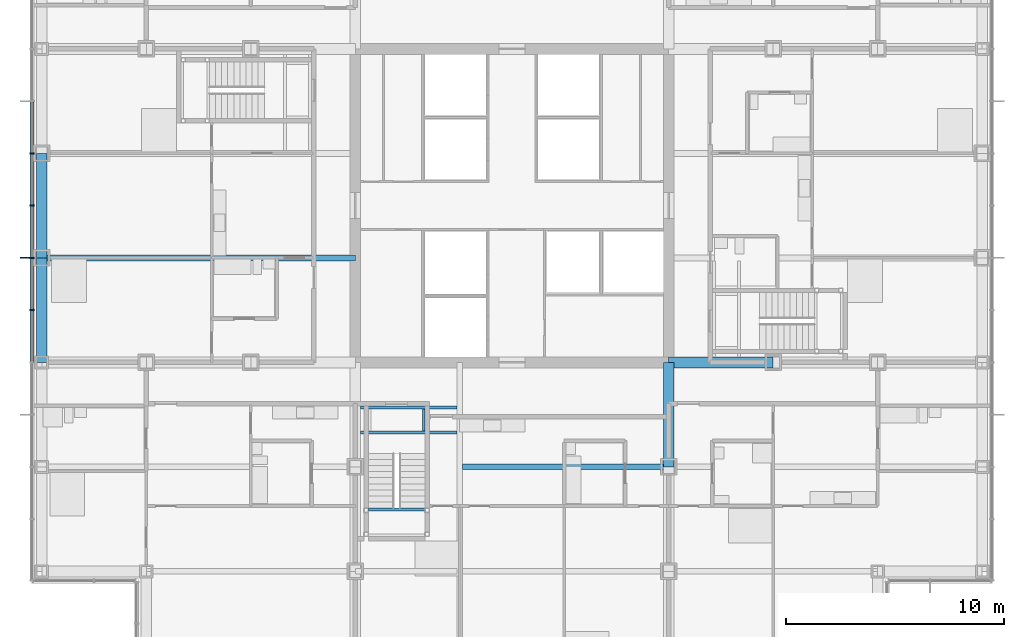
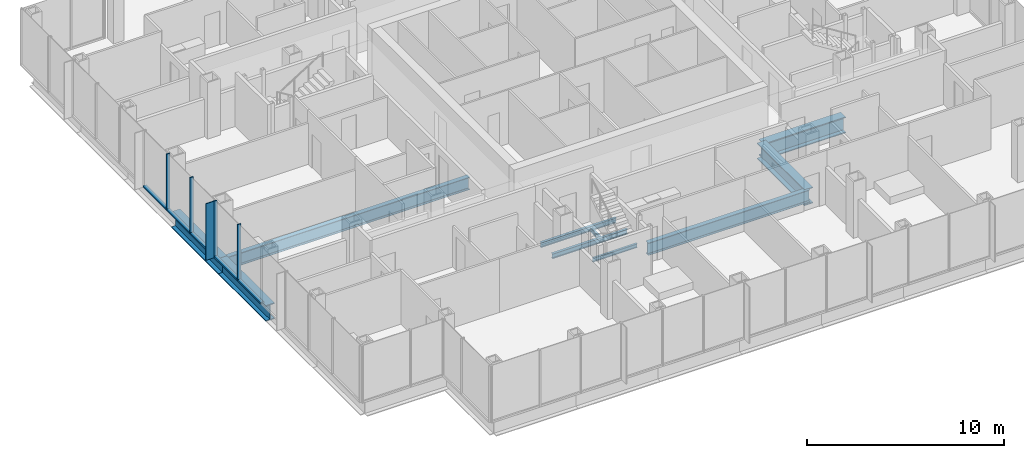
# One storey, part 7 of 21: 10 beams, 10 members, 1 element without a shape of its own.
"""IFC4 building model written with IfcOpenShell, lengths in metres."""

from ifc_helpers import new_model, si_unit, direction, frame, origin, origin_2d, place, context, subcontext, project, spatial, rectangle, i_section, extrude, material, material_profile, profile_set, type_object, element, aggregate, save


model = new_model("IFC4")

# Units and contexts
model_context = context("Model", 3, precision=1e-05, world=origin(), true_north=direction((0.0, 1.0)))
body_context = subcontext(model_context, "Body", "Model", "MODEL_VIEW")
ifc_project = project(units=[si_unit("LENGTHUNIT", "METRE"), si_unit("AREAUNIT", "SQUARE_METRE"), si_unit("VOLUMEUNIT", "CUBIC_METRE"), si_unit("PLANEANGLEUNIT", "RADIAN"), si_unit("MASSUNIT", "GRAM", prefix="KILO")], contexts=[model_context])

# Site, building, storey
site_placement = place(None, origin())
site = spatial("IfcSite", under=ifc_project, at=site_placement, CompositionType="ELEMENT")
building_placement = place(site_placement, origin())
building = spatial("IfcBuilding", under=site, at=building_placement, Name="Kvirike Care Tower", CompositionType="ELEMENT")
storey_placement = place(building_placement, frame((0.0, 0.0, 62.0)))
storey = spatial("IfcBuildingStorey", under=building, at=storey_placement, Name="L16", CompositionType="ELEMENT", Elevation=62.0)

# Curtain wall, members
ifc_material_1 = material(Name="Anodised aluminium stick system", Category="aluminium")
curtain_wall_type = type_object("IfcCurtainWallType", Name="CW-A STICK CURTAIN WALL", PredefinedType="NOTDEFINED", material=ifc_material_1)
curtain_wall_placement = place(storey_placement, origin())
curtain_wall = element("IfcCurtainWall", 1, at=curtain_wall_placement, inside=storey, type_object=curtain_wall_type, Name="Curtain wall L16 face 1", PredefinedType="NOTDEFINED")
ifc_material_2 = material(Name="Bronze anodised aluminium fin", Category="aluminium")
ifc_material_profile_1 = material_profile(ifc_material_2, rectangle(XDim=0.050048828125, YDim=0.449951171875, at=origin_2d()), Name="BRONZE FIN 450")
ifc_profile_set_1 = profile_set([ifc_material_profile_1], Name="Bronze anodised aluminium fin")
member_type_1 = type_object("IfcMemberType", Name="BRONZE FIN 450", PredefinedType="USERDEFINED", material=ifc_profile_set_1)
member_1_placement = place(storey_placement, frame((-0.77490234375, 33.60009765625, 0.0), z_axis=(0.0, 0.0, 1.0), x_axis=(0.0, -1.0, 0.0)))
member_1 = element("IfcMember", 2, at=member_1_placement, type_object=member_type_1, Name="Bronze fin L16 face 1.9", ObjectType="FIN", PredefinedType="USERDEFINED", context=body_context, shape_type="SweptSolid", body=[
    extrude(rectangle(XDim=0.050048828125, YDim=0.449951171875, at=origin_2d()), origin(), (0.0, 0.0, 1.0), 3.5),
])
ifc_material_3 = material(Name="Bronze anodised aluminium mullion", Category="aluminium")
ifc_material_profile_2 = material_profile(ifc_material_3, rectangle(XDim=0.06494140625, YDim=0.199951171875, at=origin_2d()), Name="CW-A MULLION 65x200")
ifc_profile_set_2 = profile_set([ifc_material_profile_2], Name="Bronze anodised aluminium mullion")
member_type_2 = type_object("IfcMemberType", Name="CW-A MULLION 65x200", PredefinedType="MULLION", material=ifc_profile_set_2)
member_2_placement = place(storey_placement, frame((-0.449951171875, 38.39990234375, 0.0), z_axis=(0.0, 0.0, 1.0), x_axis=(0.0, -1.0, 0.0)))
member_2 = element("IfcMember", 3, at=member_2_placement, type_object=member_type_2, Name="CW-A mullion L16 face 1.7", PredefinedType="MULLION", context=body_context, shape_type="SweptSolid", body=[
    extrude(rectangle(XDim=0.06494140625, YDim=0.199951171875, at=origin_2d()), origin(), (0.0, 0.0, 1.0), 3.5),
])
member_3_placement = place(storey_placement, frame((-0.449951171875, 36.0, 0.0), z_axis=(0.0, 0.0, 1.0), x_axis=(0.0, -1.0, 0.0)))
member_3 = element("IfcMember", 4, at=member_3_placement, type_object=member_type_2, Name="CW-A mullion L16 face 1.8", PredefinedType="MULLION", context=body_context, shape_type="SweptSolid", body=[
    extrude(rectangle(XDim=0.06494140625, YDim=0.199951171875, at=origin_2d()), origin(), (0.0, 0.0, 1.0), 3.5),
])
member_4_placement = place(storey_placement, frame((-0.449951171875, 33.60009765625, 0.0), z_axis=(0.0, 0.0, 1.0), x_axis=(0.0, -1.0, 0.0)))
member_4 = element("IfcMember", 5, at=member_4_placement, type_object=member_type_2, Name="CW-A mullion L16 face 1.9", PredefinedType="MULLION", context=body_context, shape_type="SweptSolid", body=[
    extrude(rectangle(XDim=0.06494140625, YDim=0.199951171875, at=origin_2d()), origin(), (0.0, 0.0, 1.0), 3.5),
])
member_5_placement = place(storey_placement, frame((-0.449951171875, 31.199951171875, 0.0), z_axis=(0.0, 0.0, 1.0), x_axis=(0.0, -1.0, 0.0)))
member_5 = element("IfcMember", 6, at=member_5_placement, type_object=member_type_2, Name="CW-A mullion L16 face 1.10", PredefinedType="MULLION", context=body_context, shape_type="SweptSolid", body=[
    extrude(rectangle(XDim=0.06494140625, YDim=0.199951171875, at=origin_2d()), origin(), (0.0, 0.0, 1.0), 3.5),
])
ifc_material_4 = material(Name="Bronze anodised aluminium transom", Category="aluminium")
ifc_material_profile_3 = material_profile(ifc_material_4, rectangle(XDim=0.199951171875, YDim=0.10009765625, at=origin_2d()), Name="CW-A TRANSOM 200x100")
ifc_profile_set_3 = profile_set([ifc_material_profile_3], Name="Bronze anodised aluminium transom")
member_type_3 = type_object("IfcMemberType", Name="CW-A TRANSOM 200x100", PredefinedType="USERDEFINED", material=ifc_profile_set_3)
member_6_placement = place(storey_placement, frame((-0.449951171875, 40.767578125, 0.050048828125), z_axis=(0.0, -1.0, 0.0), x_axis=(1.0, 0.0, 0.0)))
member_6 = element("IfcMember", 7, at=member_6_placement, type_object=member_type_3, Name="CW-A sill transom L16 face 1.6", ObjectType="TRANSOM", PredefinedType="USERDEFINED", context=body_context, shape_type="SweptSolid", body=[
    extrude(rectangle(XDim=0.199951171875, YDim=0.10009765625, at=origin_2d()), origin(), (0.0, 0.0, 1.0), 2.3349609375),
])
member_7_placement = place(storey_placement, frame((-0.449951171875, 38.367431640625, 0.050048828125), z_axis=(0.0, -1.0, 0.0), x_axis=(1.0, 0.0, 0.0)))
member_7 = element("IfcMember", 8, at=member_7_placement, type_object=member_type_3, Name="CW-A sill transom L16 face 1.7", ObjectType="TRANSOM", PredefinedType="USERDEFINED", context=body_context, shape_type="SweptSolid", body=[
    extrude(rectangle(XDim=0.199951171875, YDim=0.10009765625, at=origin_2d()), origin(), (0.0, 0.0, 1.0), 2.3349609375),
])
member_8_placement = place(storey_placement, frame((-0.449951171875, 35.967529296875, 0.050048828125), z_axis=(0.0, -1.0, 0.0), x_axis=(1.0, 0.0, 0.0)))
member_8 = element("IfcMember", 9, at=member_8_placement, type_object=member_type_3, Name="CW-A sill transom L16 face 1.8", ObjectType="TRANSOM", PredefinedType="USERDEFINED", context=body_context, shape_type="SweptSolid", body=[
    extrude(rectangle(XDim=0.199951171875, YDim=0.10009765625, at=origin_2d()), origin(), (0.0, 0.0, 1.0), 2.3349609375),
])
member_9_placement = place(storey_placement, frame((-0.449951171875, 33.5673828125, 0.050048828125), z_axis=(0.0, -1.0, 0.0), x_axis=(1.0, 0.0, 0.0)))
member_9 = element("IfcMember", 10, at=member_9_placement, type_object=member_type_3, Name="CW-A sill transom L16 face 1.9", ObjectType="TRANSOM", PredefinedType="USERDEFINED", context=body_context, shape_type="SweptSolid", body=[
    extrude(rectangle(XDim=0.199951171875, YDim=0.10009765625, at=origin_2d()), origin(), (0.0, 0.0, 1.0), 2.3349609375),
])
member_10_placement = place(storey_placement, frame((-0.449951171875, 31.16748046875, 0.050048828125), z_axis=(0.0, -1.0, 0.0), x_axis=(1.0, 0.0, 0.0)))
member_10 = element("IfcMember", 11, at=member_10_placement, type_object=member_type_3, Name="CW-A sill transom L16 face 1.10", ObjectType="TRANSOM", PredefinedType="USERDEFINED", context=body_context, shape_type="SweptSolid", body=[
    extrude(rectangle(XDim=0.199951171875, YDim=0.10009765625, at=origin_2d()), origin(), (0.0, 0.0, 1.0), 2.3349609375),
])
aggregate(curtain_wall, [member_2, member_3, member_4, member_1, member_5, member_6, member_7, member_8, member_9, member_10])

# Beams
ifc_material_5 = material(Name="Steel S355", Category="steel")
ifc_material_profile_4 = material_profile(ifc_material_5, i_section(OverallWidth=0.26806640625, OverallDepth=0.77001953125, WebThickness=0.015625, FlangeThickness=0.025390625, FilletRadius=0.01708984375, at=origin_2d()), Name="IPE 750x196")
ifc_profile_set_4 = profile_set([ifc_material_profile_4], Name="Steel S355")
beam_type_1 = type_object("IfcBeamType", Name="FLOOR BEAM IPE 750x196", PredefinedType="BEAM", material=ifc_profile_set_4)
beam_1_placement = place(storey_placement, frame((19.333984375, 24.0, -0.554931640625), z_axis=(1.0, 0.0, 0.0), x_axis=(0.0, 1.0, 0.0)))
element("IfcBeam", 12, at=beam_1_placement, inside=storey, type_object=beam_type_1, Name="Floor Beam F7-F9 L16", PredefinedType="BEAM", context=body_context, shape_type="SweptSolid", body=[
    extrude(i_section(OverallWidth=0.26806640625, OverallDepth=0.77001953125, WebThickness=0.015625, FlangeThickness=0.025390625, FilletRadius=0.01708984375, at=origin_2d()), origin(), (0.0, 0.0, 1.0), 9.466064453125),
])
beam_2_placement = place(storey_placement, frame((0.0, 33.60009765625, -0.554931640625), z_axis=(1.0, 0.0, 0.0), x_axis=(0.0, 1.0, 0.0)))
element("IfcBeam", 13, at=beam_2_placement, inside=storey, type_object=beam_type_1, Name="Floor Beam H3-H6 L16", PredefinedType="BEAM", context=body_context, shape_type="SweptSolid", body=[
    extrude(i_section(OverallWidth=0.26806640625, OverallDepth=0.77001953125, WebThickness=0.015625, FlangeThickness=0.025390625, FilletRadius=0.01708984375, at=origin_2d()), origin(), (0.0, 0.0, 1.0), 14.39990234375),
])
ifc_material_6 = material(Name="Steel S355", Category="steel")
ifc_material_profile_5 = material_profile(ifc_material_6, i_section(OverallWidth=0.5, OverallDepth=1.0, WebThickness=0.030029296875, FlangeThickness=0.06005859375, at=origin_2d()), Name="PG 1000x500x30x60")
ifc_profile_set_5 = profile_set([ifc_material_profile_5], Name="Steel S355")
beam_type_2 = type_object("IfcBeamType", Name="FRAME BEAM PG 1000x500x30x60", PredefinedType="BEAM", material=ifc_profile_set_5)
for number, where, z_axis, x_axis, name in (
    (14, (28.800048828125, 28.800048828125, -0.669921875), (1.0, 0.0, 0.0), (0.0, 1.0, 0.0), "Frame Beam G9-G10 L16"),
    (15, (28.800048828125, 24.0, -0.669921875), (0.0, 1.0, 0.0), (-1.0, 0.0, 0.0), "Frame Beam F9-G9 L16"),
):
    element("IfcBeam", number, at=place(storey_placement, frame(where, z_axis=z_axis, x_axis=x_axis)), inside=storey, type_object=beam_type_2, Name=name, PredefinedType="BEAM", context=body_context, shape_type="SweptSolid", body=[
        extrude(i_section(OverallWidth=0.5, OverallDepth=1.0, WebThickness=0.030029296875, FlangeThickness=0.06005859375, at=origin_2d()), origin(), (0.0, 0.0, 1.0), 4.800048828125),
    ])
ifc_material_7 = material(Name="Steel S355", Category="steel")
ifc_material_profile_6 = material_profile(ifc_material_7, i_section(OverallWidth=0.5, OverallDepth=1.0, WebThickness=0.030029296875, FlangeThickness=0.06005859375, at=origin_2d()), Name="PG 1000x500x30x60")
ifc_profile_set_6 = profile_set([ifc_material_profile_6], Name="Steel S355")
beam_type_3 = type_object("IfcBeamType", Name="SPANDREL PG 1000x500x30x60", PredefinedType="SPANDREL", material=ifc_profile_set_6)
beam_3_placement = place(storey_placement, frame((0.0, 28.800048828125, -0.669921875), z_axis=(0.0, 1.0, 0.0), x_axis=(-1.0, 0.0, 0.0)))
element("IfcBeam", 16, at=beam_3_placement, inside=storey, type_object=beam_type_3, Name="Spandrel G3-H3 L16", PredefinedType="SPANDREL", context=body_context, shape_type="SweptSolid", body=[
    extrude(i_section(OverallWidth=0.5, OverallDepth=1.0, WebThickness=0.030029296875, FlangeThickness=0.06005859375, at=origin_2d()), origin(), (0.0, 0.0, 1.0), 4.800048828125),
])
beam_4_placement = place(storey_placement, frame((0.0, 33.60009765625, -0.669921875), z_axis=(0.0, 1.0, 0.0), x_axis=(-1.0, 0.0, 0.0)))
element("IfcBeam", 17, at=beam_4_placement, inside=storey, type_object=beam_type_3, Name="Spandrel H3-J3 L16", PredefinedType="SPANDREL", context=body_context, shape_type="SweptSolid", body=[
    extrude(i_section(OverallWidth=0.5, OverallDepth=1.0, WebThickness=0.030029296875, FlangeThickness=0.06005859375, at=origin_2d()), origin(), (0.0, 0.0, 1.0), 4.7998046875),
])
ifc_material_8 = material(Name="Steel S355", Category="steel")
ifc_material_profile_7 = material_profile(ifc_material_8, i_section(OverallWidth=0.1201171875, OverallDepth=0.239990234375, WebThickness=0.006103515625, FlangeThickness=0.009765625, FilletRadius=0.014892578125, at=origin_2d()), Name="IPE 240")
ifc_profile_set_7 = profile_set([ifc_material_profile_7], Name="Steel S355")
beam_type_4 = type_object("IfcBeamType", Name="STAIR LANDING BEAM IPE 240", PredefinedType="BEAM", material=ifc_profile_set_7)
beam_5_placement = place(storey_placement, frame((15.0, 22.0400390625, 1.429931640625), z_axis=(1.0, 0.0, 0.0), x_axis=(0.0, 1.0, 0.0)))
element("IfcBeam", 18, at=beam_5_placement, inside=storey, type_object=beam_type_4, Name="Stair 5 landing beam front L16", PredefinedType="BEAM", context=body_context, shape_type="SweptSolid", body=[
    extrude(i_section(OverallWidth=0.1201171875, OverallDepth=0.239990234375, WebThickness=0.006103515625, FlangeThickness=0.009765625, FilletRadius=0.014892578125, at=origin_2d()), origin(), (0.0, 0.0, 1.0), 2.60009765625),
])
beam_6_placement = place(storey_placement, frame((17.5400390625, 25.64990234375, -0.320068359375), z_axis=(0.0, 1.0, 0.0), x_axis=(-1.0, 0.0, 0.0)))
element("IfcBeam", 19, at=beam_6_placement, inside=storey, type_object=beam_type_4, Name="Stair 5 landing edge beam 2 L16", PredefinedType="BEAM", context=body_context, shape_type="SweptSolid", body=[
    extrude(i_section(OverallWidth=0.1201171875, OverallDepth=0.239990234375, WebThickness=0.006103515625, FlangeThickness=0.009765625, FilletRadius=0.014892578125, at=origin_2d()), origin(), (0.0, 0.0, 1.0), 1.0),
])
ifc_material_9 = material(Name="Steel S355", Category="steel")
ifc_material_profile_8 = material_profile(ifc_material_9, i_section(OverallWidth=0.14990234375, OverallDepth=0.300048828125, WebThickness=0.007080078125, FlangeThickness=0.0107421875, FilletRadius=0.014892578125, at=origin_2d()), Name="IPE 300")
ifc_profile_set_8 = profile_set([ifc_material_profile_8], Name="Steel S355")
beam_type_5 = type_object("IfcBeamType", Name="STAIR TRIMMER IPE 300", PredefinedType="BEAM", material=ifc_profile_set_8)
for number, where, z_axis, x_axis, name in (
    (20, (14.64990234375, 25.574951171875, -0.35009765625), (1.0, 0.0, 0.0), (0.0, 1.0, 0.0), "Stair 5 trimmer 1 L16"),
    (21, (14.64990234375, 26.72509765625, -0.35009765625), (1.0, 0.0, 0.0), (0.0, 1.0, 0.0), "Stair 5 trimmer 2 L16"),
):
    element("IfcBeam", number, at=place(storey_placement, frame(where, z_axis=z_axis, x_axis=x_axis)), inside=storey, type_object=beam_type_5, Name=name, PredefinedType="BEAM", context=body_context, shape_type="SweptSolid", body=[
        extrude(i_section(OverallWidth=0.14990234375, OverallDepth=0.300048828125, WebThickness=0.007080078125, FlangeThickness=0.0107421875, FilletRadius=0.014892578125, at=origin_2d()), origin(), (0.0, 0.0, 1.0), 4.416015625),
    ])

save(model, "model.ifc")
